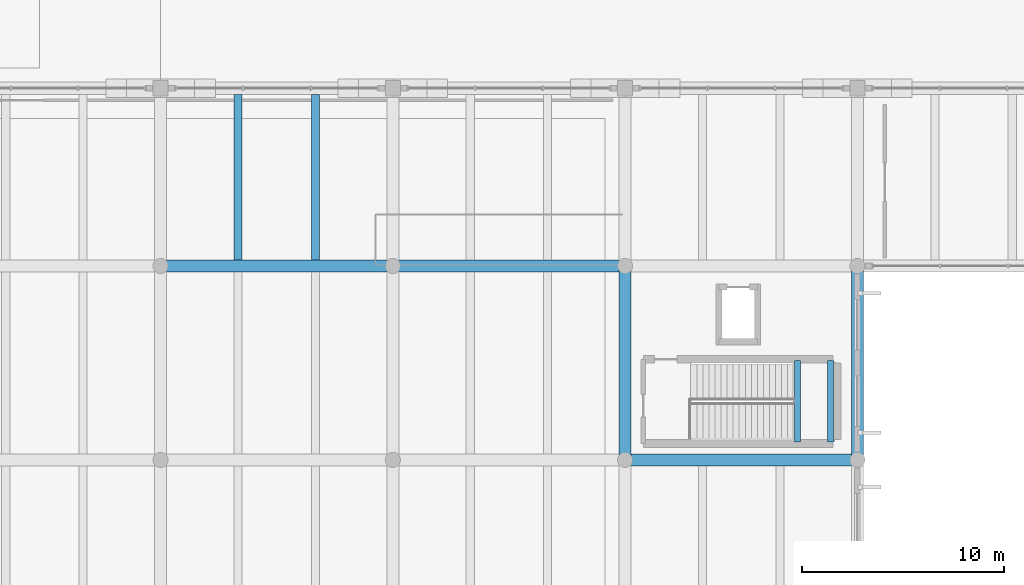
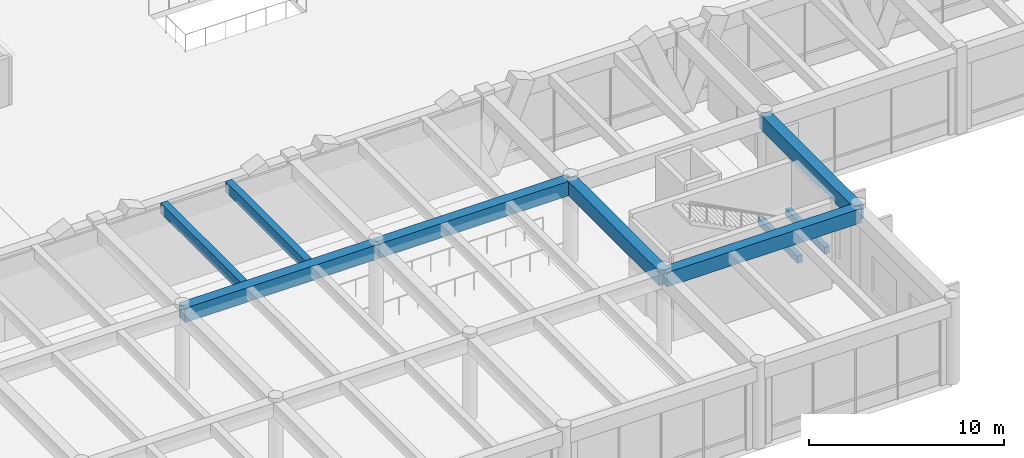
# One storey, part 41 of 148: 9 beams.
"""IFC4 building model written with IfcOpenShell, lengths in metres."""

from ifc_helpers import new_model, si_unit, direction, frame, origin, origin_2d, place, context, subcontext, project, spatial, rectangle, extrude, material, material_profile, profile_set, type_object, element, save


model = new_model("IFC4")

# Units and contexts
model_context = context("Model", 3, precision=1e-05, world=origin(), true_north=direction((0.0, 1.0)))
body_context = subcontext(model_context, "Body", "Model", "MODEL_VIEW")
ifc_project = project(units=[si_unit("LENGTHUNIT", "METRE"), si_unit("AREAUNIT", "SQUARE_METRE"), si_unit("VOLUMEUNIT", "CUBIC_METRE"), si_unit("PLANEANGLEUNIT", "RADIAN"), si_unit("MASSUNIT", "GRAM", prefix="KILO")], contexts=[model_context])

# Site, building, storey
site_placement = place(None, origin())
site = spatial("IfcSite", under=ifc_project, at=site_placement, CompositionType="ELEMENT")
building_placement = place(site_placement, origin())
building = spatial("IfcBuilding", under=site, at=building_placement, Name="Ologun Quay Terminus", CompositionType="ELEMENT")
storey_placement = place(building_placement, frame((0.0, 0.0, 8.39990234375)))
storey = spatial("IfcBuildingStorey", under=building, at=storey_placement, Name="L02", CompositionType="ELEMENT", Elevation=8.39990234375)

# Beams
ifc_material_1 = material(Name="Concrete C40/50", Category="concrete")
ifc_material_profile_1 = material_profile(ifc_material_1, rectangle(XDim=0.300048828125, YDim=0.449951171875, at=origin_2d()), Name="RC 300x450")
ifc_profile_set_1 = profile_set([ifc_material_profile_1], Name="Concrete C40/50")
beam_type_1 = type_object("IfcBeamType", Name="Core Coupling Lintel Beam 300x450", PredefinedType="LINTEL", material=ifc_profile_set_1)
for number, where, z_axis, x_axis, name in (
    (1, (123.5400390625, 18.47998046875, 2.295166015625), (0.0, 1.0, 0.0), (-1.0, 0.0, 0.0), "LN1 Half-Landing Ledger Beam ST-S4-W L02"),
    (2, (125.159912109375, 18.47998046875, 2.295166015625), (0.0, 1.0, 0.0), (-1.0, 0.0, 0.0), "LN1 Half-Landing Ledger Beam ST-S4-E L02"),
):
    element("IfcBeam", number, at=place(storey_placement, frame(where, z_axis=z_axis, x_axis=x_axis)), inside=storey, type_object=beam_type_1, Name=name, PredefinedType="LINTEL", context=body_context, shape_type="SweptSolid", body=[
        extrude(rectangle(XDim=0.300048828125, YDim=0.449951171875, at=origin_2d()), origin(), (0.0, 0.0, 1.0), 4.0400390625),
    ])
ifc_material_2 = material(Name="Concrete C40/50", Category="concrete")
ifc_material_profile_2 = material_profile(ifc_material_2, rectangle(XDim=0.60009765625, YDim=0.89990234375, at=origin_2d()), Name="RC 600x900")
ifc_profile_set_2 = profile_set([ifc_material_profile_2], Name="Concrete C40/50")
beam_type_2 = type_object("IfcBeamType", Name="Station Frame Girder 600x900", PredefinedType="BEAM", material=ifc_profile_set_2)
for number, where, z_axis, x_axis, name in (
    (3, (115.0, 17.60009765625, 4.7001953125), (1.0, 0.0, 0.0), (0.0, 1.0, 0.0), "B3 Beam 11/C L02"),
    (4, (92.0, 27.199951171875, 4.7001953125), (1.0, 0.0, 0.0), (0.0, 1.0, 0.0), "B3 Beam 9/D L02"),
    (5, (103.5, 27.199951171875, 4.7001953125), (1.0, 0.0, 0.0), (0.0, 1.0, 0.0), "B3 Beam 10/D L02"),
):
    element("IfcBeam", number, at=place(storey_placement, frame(where, z_axis=z_axis, x_axis=x_axis)), inside=storey, type_object=beam_type_2, Name=name, PredefinedType="BEAM", context=body_context, shape_type="SweptSolid", body=[
        extrude(rectangle(XDim=0.60009765625, YDim=0.89990234375, at=origin_2d()), origin(), (0.0, 0.0, 1.0), 11.5),
    ])
for number, where, z_axis, x_axis, name in (
    (6, (115.0, 17.60009765625, 4.7001953125), (0.0, 1.0, 0.0), (-1.0, 0.0, 0.0), "B3 Beam 11/C L02"),
    (7, (126.5, 17.60009765625, 4.7001953125), (0.0, 1.0, 0.0), (-1.0, 0.0, 0.0), "B3 Beam 12/C L02"),
):
    element("IfcBeam", number, at=place(storey_placement, frame(where, z_axis=z_axis, x_axis=x_axis)), inside=storey, type_object=beam_type_2, Name=name, PredefinedType="BEAM", context=body_context, shape_type="SweptSolid", body=[
        extrude(rectangle(XDim=0.60009765625, YDim=0.89990234375, at=origin_2d()), origin(), (0.0, 0.0, 1.0), 9.599853515625),
    ])
ifc_material_3 = material(Name="Concrete C40/50", Category="concrete")
ifc_material_profile_3 = material_profile(ifc_material_3, rectangle(XDim=0.39990234375, YDim=0.64990234375, at=origin_2d()), Name="RC 400x650")
ifc_profile_set_3 = profile_set([ifc_material_profile_3], Name="Concrete C40/50")
beam_type_3 = type_object("IfcBeamType", Name="Station Secondary Joist 400x650", PredefinedType="JOIST", material=ifc_profile_set_3)
for number, where, z_axis, x_axis, name in (
    (8, (95.833251953125, 27.5, 4.8251953125), (0.0, 1.0, 0.0), (-1.0, 0.0, 0.0), "J1 Beam 9/D L02"),
    (9, (99.666748046875, 27.5, 4.8251953125), (0.0, 1.0, 0.0), (-1.0, 0.0, 0.0), "J1 Beam 9/D L02"),
):
    element("IfcBeam", number, at=place(storey_placement, frame(where, z_axis=z_axis, x_axis=x_axis)), inside=storey, type_object=beam_type_3, Name=name, PredefinedType="JOIST", context=body_context, shape_type="SweptSolid", body=[
        extrude(rectangle(XDim=0.39990234375, YDim=0.64990234375, at=origin_2d()), origin(), (0.0, 0.0, 1.0), 8.199951171875),
    ])

save(model, "model.ifc")
